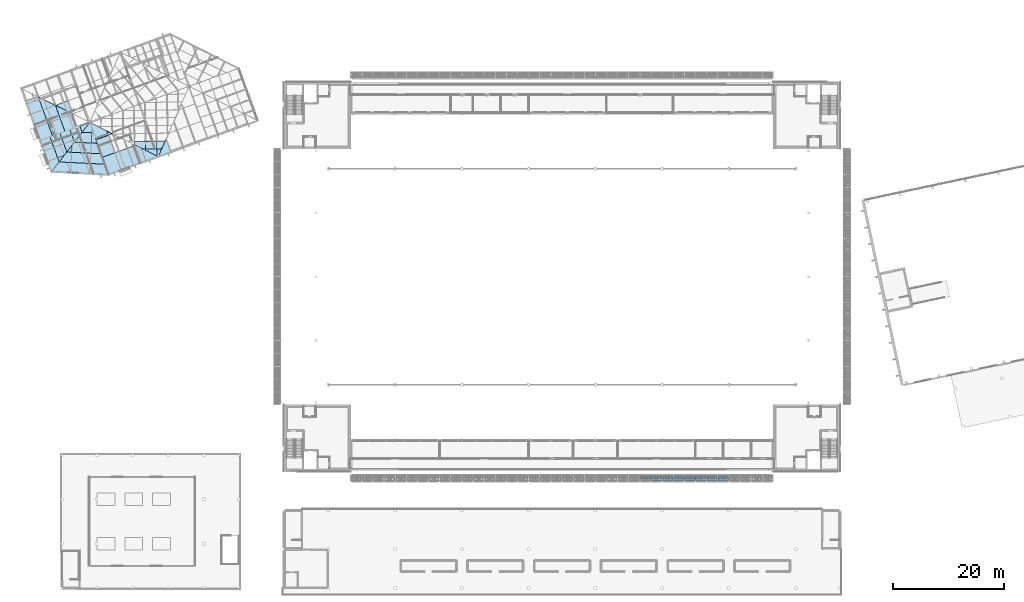
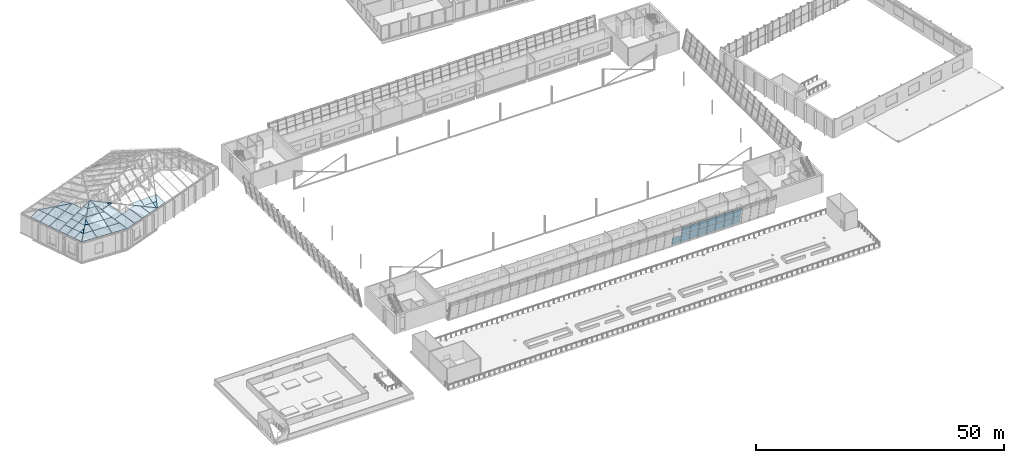
# One storey, part 39 of 95: 59 plates, 1 element without a shape of its own.
"""IFC4 building model written with IfcOpenShell, lengths in metres."""

from ifc_helpers import new_model, si_unit, direction, frame, origin, place, context, subcontext, project, spatial, polyline, outline, extrude, material, layer, layer_set, type_object, element, aggregate, save


model = new_model("IFC4")

# Units and contexts
model_context = context("Model", 3, precision=1e-05, world=origin(), true_north=direction((0.0, 1.0)))
body_context = subcontext(model_context, "Body", "Model", "MODEL_VIEW")
ifc_project = project(units=[si_unit("LENGTHUNIT", "METRE"), si_unit("AREAUNIT", "SQUARE_METRE"), si_unit("VOLUMEUNIT", "CUBIC_METRE"), si_unit("PLANEANGLEUNIT", "RADIAN"), si_unit("MASSUNIT", "GRAM", prefix="KILO")], contexts=[model_context])

# Site, building, storey
site_placement = place(None, origin())
site = spatial("IfcSite", under=ifc_project, at=site_placement, CompositionType="ELEMENT")
building_placement = place(site_placement, origin())
building = spatial("IfcBuilding", under=site, at=building_placement, Name="Windward Yard Aquatics Centre", CompositionType="ELEMENT")
storey_placement = place(building_placement, frame((0.0, 0.0, 9.39990234375)))
storey = spatial("IfcBuildingStorey", under=building, at=storey_placement, Name="L02", CompositionType="ELEMENT", Elevation=9.39990234375)

# Plates
ifc_material_1 = material(Name="Laminated glass, low-e coated", Category="glass")
ifc_layer_1 = layer(ifc_material_1, 0.035888671875)
ifc_layer_set_1 = layer_set([ifc_layer_1], Name="F roof glass panel 36")
plate_type_1 = type_object("IfcPlateType", Name="F roof glass panel 36", PredefinedType="SHEET", material=ifc_layer_set_1)
plate_1_placement = place(storey_placement, frame((29.423828125, 82.6064453125, 4.7509765625), z_axis=(0.149262790559, -0.410090294979, 0.899748058802), x_axis=(0.376667500654, 0.864915381125, 0.331727263645)))
element("IfcPlate", 1, at=plate_1_placement, inside=storey, type_object=plate_type_1, Name="F.RF.G.01.009", PredefinedType="SHEET", context=body_context, shape_type="SweptSolid", body=[
    extrude(outline(polyline([(0.0, 0.0), (3.645249, 0.0), (1.538938, -1.800305), (0.0, 0.0)])), origin(), (0.0, 0.0, -1.0), 0.035888671875),
])
plate_2_placement = place(storey_placement, frame((10.904296875, 91.824462890625, 5.9755859375), z_axis=(-0.081393564523, 0.223623789689, 0.971271068415), x_axis=(0.939691052266, 0.342024452767, 0.0)))
element("IfcPlate", 2, at=plate_2_placement, inside=storey, type_object=plate_type_1, Name="F.RF.G.07.006", PredefinedType="SHEET", context=body_context, shape_type="SweptSolid", body=[
    extrude(outline(polyline([(0.0, 0.0), (2.368423, 0.0), (2.368261, -2.566814), (0.0, 0.0)])), origin(), (0.0, 0.0, -1.0), 0.035888671875),
])
plate_3_placement = place(storey_placement, frame((7.29345703125, 87.849609375, 4.75048828125), z_axis=(-0.234701499929, -0.085408186088, 0.968308136742), x_axis=(0.909898947733, 0.331216776723, 0.249758586902)))
element("IfcPlate", 3, at=plate_3_placement, inside=storey, type_object=plate_type_1, Name="F.RF.G.08.001", PredefinedType="SHEET", context=body_context, shape_type="SweptSolid", body=[
    extrude(outline(polyline([(0.0, 0.0), (2.448654, 0.0), (2.448411, -2.49593), (-0.000242, -2.49593), (0.0, 0.0)])), origin(), (0.0, 0.0, -1.0), 0.035888671875),
])
plate_4_placement = place(storey_placement, frame((9.525146484375, 88.662109375, 5.363037109375), z_axis=(-0.234713524269, -0.085420331783, 0.968304150793), x_axis=(0.909927245976, 0.331127370526, 0.249774040921)))
element("IfcPlate", 4, at=plate_4_placement, inside=storey, type_object=plate_type_1, Name="F.RF.G.08.002", PredefinedType="SHEET", context=body_context, shape_type="SweptSolid", body=[
    extrude(outline(polyline([(0.0, 0.0), (2.448573, 0.0), (2.448564, -2.49593), (0.000133, -2.496243), (0.0, 0.0)])), origin(), (0.0, 0.0, -1.0), 0.035888671875),
])
plate_5_placement = place(storey_placement, frame((11.7568359375, 89.47412109375, 5.9755859375), z_axis=(-0.23469609366, -0.085435094939, 0.968307073285), x_axis=(0.909897948145, 0.331216412848, 0.249762711032)))
element("IfcPlate", 5, at=plate_5_placement, inside=storey, type_object=plate_type_1, Name="F.RF.G.08.003", PredefinedType="SHEET", context=body_context, shape_type="SweptSolid", body=[
    extrude(outline(polyline([(0.0, 0.0), (2.448654, 0.0), (2.448633, -2.496014), (6.1e-05, -2.495784), (0.0, 0.0)])), origin(), (0.0, 0.0, -1.0), 0.035888671875),
])
plate_6_placement = place(storey_placement, frame((6.438232421875, 90.198974609375, 4.75048828125), z_axis=(-0.234701398015, -0.08543257925, 0.968306009572), x_axis=(0.90992899288, 0.331128006285, 0.249766834009)))
element("IfcPlate", 6, at=plate_6_placement, inside=storey, type_object=plate_type_1, Name="F.RF.G.08.005", PredefinedType="SHEET", context=body_context, shape_type="SweptSolid", body=[
    extrude(outline(polyline([(0.0, 0.0), (2.448573, 0.0), (2.448786, -2.496014), (0.000214, -2.496014), (0.0, 0.0)])), origin(), (0.0, 0.0, -1.0), 0.035888671875),
])
plate_7_placement = place(storey_placement, frame((8.670166015625, 91.01123046875, 5.363037109375), z_axis=(-0.23470924874, -0.085411005891, 0.968306009807), x_axis=(0.90992899288, 0.331128006285, 0.249766834009)))
element("IfcPlate", 7, at=plate_7_placement, inside=storey, type_object=plate_type_1, Name="F.RF.G.08.006", PredefinedType="SHEET", context=body_context, shape_type="SweptSolid", body=[
    extrude(outline(polyline([(0.0, 0.0), (2.448573, 0.0), (2.448564, -2.49593), (-9e-06, -2.49593), (0.0, 0.0)])), origin(), (0.0, 0.0, -1.0), 0.035888671875),
])
plate_8_placement = place(storey_placement, frame((10.90283203125, 91.82080078125, 5.9755859375), z_axis=(-0.234695289117, -0.085430454865, 0.968307677677), x_axis=(0.881366000458, -0.438865462474, 0.174903056246)))
element("IfcPlate", 8, at=plate_8_placement, inside=storey, type_object=plate_type_1, Name="F.RF.G.08.007", PredefinedType="SHEET", context=body_context, shape_type="SweptSolid", body=[
    extrude(outline(polyline([(0.0, 0.0), (3.492448, 0.0), (1.779776, -1.745916), (0.0, 0.0)])), origin(), (0.0, 0.0, -1.0), 0.035888671875),
])
plate_9_placement = place(storey_placement, frame((5.583251953125, 92.548095703125, 4.75048828125), z_axis=(-0.234710666403, -0.08542818353, 0.968304150841), x_axis=(0.909927246123, 0.331127370514, 0.249774040404)))
element("IfcPlate", 9, at=plate_9_placement, inside=storey, type_object=plate_type_1, Name="F.RF.G.08.008", PredefinedType="SHEET", context=body_context, shape_type="SweptSolid", body=[
    extrude(outline(polyline([(0.0, 0.0), (2.448573, 0.0), (2.448645, -2.495701), (0.000214, -2.496014), (0.0, 0.0)])), origin(), (0.0, 0.0, -1.0), 0.035888671875),
])
plate_10_placement = place(storey_placement, frame((7.816162109375, 93.357666015625, 5.363037109375), z_axis=(-0.23468183362, -0.085401100771, 0.968313528231), x_axis=(0.881366000458, -0.438865462474, 0.174903056246)))
element("IfcPlate", 10, at=plate_10_placement, inside=storey, type_object=plate_type_1, Name="F.RF.G.08.009", PredefinedType="SHEET", context=body_context, shape_type="SweptSolid", body=[
    extrude(outline(polyline([(0.0, 0.0), (3.492448, 0.0), (1.779561, -1.746016), (0.0, 0.0)])), origin(), (0.0, 0.0, -1.0), 0.035888671875),
])
plate_11_placement = place(storey_placement, frame((9.5166015625, 81.74169921875, 4.75048828125), z_axis=(-0.234684329319, -0.085415221785, 0.96831167785), x_axis=(0.909910961879, 0.331194122754, 0.249744858819)))
element("IfcPlate", 11, at=plate_11_placement, inside=storey, type_object=plate_type_1, Name="F.RF.G.09.001", PredefinedType="SHEET", context=body_context, shape_type="SweptSolid", body=[
    extrude(outline(polyline([(0.0, 0.0), (1.957888, 0.0), (1.958034, -0.796893), (-0.000211, -1.994224), (0.0, 0.0)])), origin(), (0.0, 0.0, -1.0), 0.035888671875),
])
plate_12_placement = place(storey_placement, frame((11.302001953125, 82.3916015625, 5.240478515625), z_axis=(-0.234756094634, -0.085365852594, 0.968298635361), x_axis=(0.909901870929, 0.331180974298, 0.249795411375)))
element("IfcPlate", 12, at=plate_12_placement, inside=storey, type_object=plate_type_1, Name="F.RF.G.09.002", PredefinedType="SHEET", context=body_context, shape_type="SweptSolid", body=[
    extrude(outline(polyline([(0.0, 0.0), (1.298915, 0.0), (-0.00023, -0.794411), (0.0, 0.0)])), origin(), (0.0, 0.0, -1.0), 0.035888671875),
])
plate_13_placement = place(storey_placement, frame((8.83251953125, 83.62109375, 4.75048828125), z_axis=(-0.234688673449, -0.085423255929, 0.968309916246), x_axis=(0.90990930646, 0.331193520346, 0.249751688881)))
element("IfcPlate", 13, at=plate_13_placement, inside=storey, type_object=plate_type_1, Name="F.RF.G.09.003", PredefinedType="SHEET", context=body_context, shape_type="SweptSolid", body=[
    extrude(outline(polyline([(0.0, 0.0), (1.957888, 0.0), (1.958, -1.996164), (-0.000111, -1.996081), (0.0, 0.0)])), origin(), (0.0, 0.0, -1.0), 0.035888671875),
])
plate_14_placement = place(storey_placement, frame((10.617919921875, 84.27099609375, 5.240478515625), z_axis=(-0.234711859465, -0.085391060444, 0.9683071361), x_axis=(0.909946766942, 0.331082453798, 0.249762467394)))
element("IfcPlate", 14, at=plate_14_placement, inside=storey, type_object=plate_type_1, Name="F.RF.G.09.004", PredefinedType="SHEET", context=body_context, shape_type="SweptSolid", body=[
    extrude(outline(polyline([(0.0, 0.0), (1.957808, 0.0), (1.958205, -1.596873), (1.305524, -1.995879), (0.000123, -1.996081), (0.0, 0.0)])), origin(), (0.0, 0.0, -1.0), 0.035888671875),
])
plate_15_placement = place(storey_placement, frame((12.4033203125, 84.920654296875, 5.730712890625), z_axis=(-0.234556796265, -0.085399120655, 0.968343998545), x_axis=(0.909941333186, 0.331205178326, 0.249619510474)))
element("IfcPlate", 15, at=plate_15_placement, inside=storey, type_object=plate_type_1, Name="F.RF.G.09.005", PredefinedType="SHEET", context=body_context, shape_type="SweptSolid", body=[
    extrude(outline(polyline([(0.0, 0.0), (1.957827, 0.0), (1.958093, -0.39683), (-9.2e-05, -1.594161), (0.0, 0.0)])), origin(), (0.0, 0.0, -1.0), 0.035888671875),
])
plate_16_placement = place(storey_placement, frame((8.1484375, 85.50048828125, 4.75048828125), z_axis=(-0.234680268942, -0.085404924113, 0.968313570238), x_axis=(0.909927325246, 0.331154696609, 0.249737521577)))
element("IfcPlate", 16, at=plate_16_placement, inside=storey, type_object=plate_type_1, Name="F.RF.G.09.007", PredefinedType="SHEET", context=body_context, shape_type="SweptSolid", body=[
    extrude(outline(polyline([(0.0, 0.0), (1.958111, 0.0), (1.958085, -1.996081), (-2.6e-05, -1.996081), (0.0, 0.0)])), origin(), (0.0, 0.0, -1.0), 0.035888671875),
])
plate_17_placement = place(storey_placement, frame((9.933837890625, 86.150390625, 5.240478515625), z_axis=(-0.234683327654, -0.08541159572, 0.968312240467), x_axis=(0.909966140105, 0.331044135833, 0.249742675556)))
element("IfcPlate", 17, at=plate_17_placement, inside=storey, type_object=plate_type_1, Name="F.RF.G.09.008", PredefinedType="SHEET", context=body_context, shape_type="SweptSolid", body=[
    extrude(outline(polyline([(0.0, 0.0), (1.95803, 0.0), (1.958319, -1.995851), (0.000208, -1.996081), (0.0, 0.0)])), origin(), (0.0, 0.0, -1.0), 0.035888671875),
])
plate_18_placement = place(storey_placement, frame((11.71923828125, 86.800048828125, 5.730712890625), z_axis=(-0.23456683569, -0.085374755609, 0.968343715165), x_axis=(0.909955652548, 0.331165005915, 0.249620610633)))
element("IfcPlate", 18, at=plate_18_placement, inside=storey, type_object=plate_type_1, Name="F.RF.G.09.009", PredefinedType="SHEET", context=body_context, shape_type="SweptSolid", body=[
    extrude(outline(polyline([(0.0, 0.0), (1.95805, 0.0), (1.958105, -1.995851), (5.5e-05, -1.995851), (0.0, 0.0)])), origin(), (0.0, 0.0, -1.0), 0.035888671875),
])
plate_19_placement = place(storey_placement, frame((13.504638671875, 87.449951171875, 6.220703125), z_axis=(-0.234651865228, -0.08542992299, 0.968318248513), x_axis=(0.909931721647, 0.331156297211, 0.249719380022)))
element("IfcPlate", 19, at=plate_19_placement, inside=storey, type_object=plate_type_1, Name="F.RF.G.09.010", PredefinedType="SHEET", context=body_context, shape_type="SweptSolid", body=[
    extrude(outline(polyline([(0.0, 0.0), (1.958111, 0.0), (1.958188, -1.196956), (0.651432, -1.995997), (-2.6e-05, -1.996081), (0.0, 0.0)])), origin(), (0.0, 0.0, -1.0), 0.035888671875),
])
plate_20_placement = place(storey_placement, frame((15.2900390625, 88.099853515625, 6.710693359375), z_axis=(-0.23459961246, -0.085359972085, 0.968337078191), x_axis=(0.909952839842, 0.331153327757, 0.249646355429)))
element("IfcPlate", 20, at=plate_20_placement, inside=storey, type_object=plate_type_1, Name="F.RF.G.09.011", PredefinedType="SHEET", context=body_context, shape_type="SweptSolid", body=[
    extrude(outline(polyline([(0.0, 0.0), (1.952958, 0.0), (-7.1e-05, -1.194557), (0.0, 0.0)])), origin(), (0.0, 0.0, -1.0), 0.035888671875),
])
plate_21_placement = place(storey_placement, frame((17.0634765625, 79.525634765625, 4.75048828125), z_axis=(-0.012716119829, -0.256630671167, 0.966425888991), x_axis=(0.04771720103, 0.965247154076, 0.256945520052)))
element("IfcPlate", 21, at=plate_21_placement, inside=storey, type_object=plate_type_1, Name="F.RF.G.10.001", PredefinedType="SHEET", context=body_context, shape_type="SweptSolid", body=[
    extrude(outline(polyline([(0.0, 0.0), (1.903295, 0.0), (1.902886, -2.656581), (-0.000266, -3.430956), (0.0, 0.0)])), origin(), (0.0, 0.0, -1.0), 0.035888671875),
])
plate_22_placement = place(storey_placement, frame((17.154541015625, 81.36669921875, 5.240478515625), z_axis=(-0.012712601416, -0.256645151321, 0.966422090015), x_axis=(0.04785131487, 0.96523671078, 0.256959809753)))
element("IfcPlate", 22, at=plate_22_placement, inside=storey, type_object=plate_type_1, Name="F.RF.G.10.002", PredefinedType="SHEET", context=body_context, shape_type="SweptSolid", body=[
    extrude(outline(polyline([(0.0, 0.0), (1.903071, 0.0), (1.903149, -1.880232), (0.000102, -2.654862), (0.0, 0.0)])), origin(), (0.0, 0.0, -1.0), 0.035888671875),
])
plate_23_placement = place(storey_placement, frame((17.24560546875, 83.207763671875, 5.730712890625), z_axis=(-0.01271700676, -0.256526199176, 0.966453613411), x_axis=(0.047852875719, 0.965268195457, 0.256841221623)))
element("IfcPlate", 23, at=plate_23_placement, inside=storey, type_object=plate_type_1, Name="F.RF.G.10.003", PredefinedType="SHEET", context=body_context, shape_type="SweptSolid", body=[
    extrude(outline(polyline([(0.0, 0.0), (1.903009, 0.0), (1.903004, -1.104382), (7e-06, -1.878769), (0.0, 0.0)])), origin(), (0.0, 0.0, -1.0), 0.035888671875),
])
plate_24_placement = place(storey_placement, frame((17.3369140625, 85.048583984375, 6.220703125), z_axis=(-0.012715296979, -0.256629769709, 0.966426139196), x_axis=(0.047717213423, 0.965247403951, 0.25694457906)))
element("IfcPlate", 24, at=plate_24_placement, inside=storey, type_object=plate_type_1, Name="F.RF.G.10.004", PredefinedType="SHEET", context=body_context, shape_type="SweptSolid", body=[
    extrude(outline(polyline([(0.0, 0.0), (1.903295, 0.0), (1.903152, -0.328289), (-1.1e-05, -1.102419), (0.0, 0.0)])), origin(), (0.0, 0.0, -1.0), 0.035888671875),
])
plate_25_placement = place(storey_placement, frame((13.6318359375, 79.695556640625, 4.75048828125), z_axis=(-0.012704420397, -0.256647571758, 0.966421554816), x_axis=(0.047723313995, 0.965242512083, 0.256961822395)))
element("IfcPlate", 25, at=plate_25_placement, inside=storey, type_object=plate_type_1, Name="F.RF.G.10.006", PredefinedType="SHEET", context=body_context, shape_type="SweptSolid", body=[
    extrude(outline(polyline([(0.0, 0.0), (1.90306, 0.0), (1.902862, -3.431931), (-0.000197, -3.431931), (0.0, 0.0)])), origin(), (0.0, 0.0, -1.0), 0.035888671875),
])
plate_26_placement = place(storey_placement, frame((13.722900390625, 81.53662109375, 5.240478515625), z_axis=(-0.012703930147, -0.256646807515, 0.966421764216), x_axis=(0.047723324347, 0.965242721221, 0.256961034874)))
element("IfcPlate", 26, at=plate_26_placement, inside=storey, type_object=plate_type_1, Name="F.RF.G.10.007", PredefinedType="SHEET", context=body_context, shape_type="SweptSolid", body=[
    extrude(outline(polyline([(0.0, 0.0), (1.90306, 0.0), (1.902874, -3.432175), (-0.000197, -3.431931), (0.0, 0.0)])), origin(), (0.0, 0.0, -1.0), 0.035888671875),
])
plate_27_placement = place(storey_placement, frame((13.81396484375, 83.37744140625, 5.730712890625), z_axis=(-0.012662549874, -0.256518946026, 0.966456253619), x_axis=(0.04784420597, 0.96527126997, 0.256831281827)))
element("IfcPlate", 27, at=plate_27_placement, inside=storey, type_object=plate_type_1, Name="F.RF.G.10.008", PredefinedType="SHEET", context=body_context, shape_type="SweptSolid", body=[
    extrude(outline(polyline([(0.0, 0.0), (1.280847, 0.0), (1.903257, -0.419464), (1.903456, -3.431936), (0.000448, -3.431919), (0.0, 0.0)])), origin(), (0.0, 0.0, -1.0), 0.035888671875),
])
plate_28_placement = place(storey_placement, frame((14.326904296875, 85.19775390625, 6.220703125), z_axis=(-0.012700702694, -0.256636305319, 0.966424595581), x_axis=(0.597865441205, 0.772761241116, 0.213065666969)))
element("IfcPlate", 28, at=plate_28_placement, inside=storey, type_object=plate_type_1, Name="F.RF.G.10.009", PredefinedType="SHEET", context=body_context, shape_type="SweptSolid", body=[
    extrude(outline(polyline([(0.0, 0.0), (2.294949, 0.0), (3.260336, -1.431924), (1.682161, -2.495831), (0.0, 0.0)])), origin(), (0.0, 0.0, -1.0), 0.035888671875),
])
plate_29_placement = place(storey_placement, frame((15.701904296875, 86.97509765625, 6.710693359375), z_axis=(-0.012628426157, -0.25655389955, 0.966447421994), x_axis=(0.597821131898, 0.772823031776, 0.212965855979)))
element("IfcPlate", 29, at=plate_29_placement, inside=storey, type_object=plate_type_1, Name="F.RF.G.10.010", PredefinedType="SHEET", context=body_context, shape_type="SweptSolid", body=[
    extrude(outline(polyline([(0.0, 0.0), (2.292262, 0.0), (1.637152, -0.975961), (0.9637, -1.429827), (0.0, 0.0)])), origin(), (0.0, 0.0, -1.0), 0.035888671875),
])
plate_30_placement = place(storey_placement, frame((10.201904296875, 79.865234375, 4.75048828125), z_axis=(-0.012698532609, -0.25663633174, 0.966424617081), x_axis=(0.597815964553, 0.772797413842, 0.213073296507)))
element("IfcPlate", 30, at=plate_30_placement, inside=storey, type_object=plate_type_1, Name="F.RF.G.10.011", PredefinedType="SHEET", context=body_context, shape_type="SweptSolid", body=[
    extrude(outline(polyline([(0.0, 0.0), (2.295138, 0.0), (3.495247, -1.780752), (1.917049, -2.844224), (0.0, 0.0)])), origin(), (0.0, 0.0, -1.0), 0.035888671875),
])
plate_31_placement = place(storey_placement, frame((11.576904296875, 81.642578125, 5.240478515625), z_axis=(-0.012704943883, -0.25660231488, 0.966433565435), x_axis=(0.597766786473, 0.772839501353, 0.21305861667)))
element("IfcPlate", 31, at=plate_31_placement, inside=storey, type_object=plate_type_1, Name="F.RF.G.10.012", PredefinedType="SHEET", context=body_context, shape_type="SweptSolid", body=[
    extrude(outline(polyline([(0.0, 0.0), (2.295327, 0.0), (2.776889, -0.714821), (1.198582, -1.778532), (0.0, 0.0)])), origin(), (0.0, 0.0, -1.0), 0.035888671875),
])
plate_32_placement = place(storey_placement, frame((12.951904296875, 83.420166015625, 5.730712890625), z_axis=(-0.012695886745, -0.256471505219, 0.966468406866), x_axis=(0.597733976304, 0.772893534185, 0.212954639273)))
element("IfcPlate", 32, at=plate_32_placement, inside=storey, type_object=plate_type_1, Name="F.RF.G.10.013", PredefinedType="SHEET", context=body_context, shape_type="SweptSolid", body=[
    extrude(outline(polyline([(0.0, 0.0), (1.537382, 0.0), (0.480115, -0.712547), (0.0, 0.0)])), origin(), (0.0, 0.0, -1.0), 0.035888671875),
])
plate_33_placement = place(storey_placement, frame((26.3369140625, 84.135986328125, 5.361328125), z_axis=(0.081420538836, -0.223605969113, 0.971272910377), x_axis=(0.881393038995, -0.438809018541, -0.17490842192)))
element("IfcPlate", 33, at=plate_33_placement, inside=storey, type_object=plate_type_1, Name="F.RF.G.11.001", PredefinedType="SHEET", context=body_context, shape_type="SweptSolid", body=[
    extrude(outline(polyline([(0.0, 0.0), (3.492341, 0.0), (1.886508, -1.7407), (0.0, 0.0)])), origin(), (0.0, 0.0, -1.0), 0.035888671875),
])
plate_34_placement = place(storey_placement, frame((23.819091796875, 84.109619140625, 5.56640625), z_axis=(0.081449635016, -0.223640824017, 0.971262445886), x_axis=(0.939690164869, 0.342026887512, -4.7614316e-05)))
element("IfcPlate", 34, at=plate_34_placement, inside=storey, type_object=plate_type_1, Name="F.RF.G.11.002", PredefinedType="SHEET", context=body_context, shape_type="SweptSolid", body=[
    extrude(outline(polyline([(0.0, 0.0), (1.580416, 0.0), (2.371102, -0.856748), (2.371002, -3.427846), (0.00018, -3.428028), (0.0, 0.0)])), origin(), (0.0, 0.0, -1.0), 0.035888671875),
])
plate_35_placement = place(storey_placement, frame((21.58740234375, 83.29736328125, 5.56640625), z_axis=(0.081408078423, -0.223673076529, 0.971258502976), x_axis=(0.939711285429, 0.341968858102, -1.1184922e-05)))
element("IfcPlate", 35, at=plate_35_placement, inside=storey, type_object=plate_type_1, Name="F.RF.G.11.004", PredefinedType="SHEET", context=body_context, shape_type="SweptSolid", body=[
    extrude(outline(polyline([(0.0, 0.0), (2.370968, 0.0), (2.371178, -3.427724), (0.000127, -3.427947), (0.0, 0.0)])), origin(), (0.0, 0.0, -1.0), 0.035888671875),
])
plate_36_placement = place(storey_placement, frame((20.163330078125, 87.2099609375, 6.58642578125), z_axis=(0.081474499314, -0.223758602207, 0.971233233523), x_axis=(0.881333731907, -0.43887425128, -0.175043550486)))
element("IfcPlate", 36, at=plate_36_placement, inside=storey, type_object=plate_type_1, Name="F.RF.G.11.006", PredefinedType="SHEET", context=body_context, shape_type="SweptSolid", body=[
    extrude(outline(polyline([(0.0, 0.0), (1.157636, 0.0), (0.625471, -0.576975), (0.0, 0.0)])), origin(), (0.0, 0.0, -1.0), 0.035888671875),
])
plate_37_placement = place(storey_placement, frame((19.355712890625, 82.485107421875, 5.56640625), z_axis=(0.081411054018, -0.223668996972, 0.971259193046), x_axis=(0.939699583291, 0.342001013319, -7.114397e-06)))
element("IfcPlate", 37, at=plate_37_placement, inside=storey, type_object=plate_type_1, Name="F.RF.G.11.007", PredefinedType="SHEET", context=body_context, shape_type="SweptSolid", body=[
    extrude(outline(polyline([(0.0, 0.0), (2.370738, 0.0), (2.371061, -3.427806), (1e-05, -3.427947), (0.0, 0.0)])), origin(), (0.0, 0.0, -1.0), 0.035888671875),
])
plate_38_placement = place(storey_placement, frame((18.215576171875, 85.6171875, 6.3828125), z_axis=(0.081375578083, -0.223550128112, 0.971289532278), x_axis=(0.939679129941, 0.342057206844, 0.0)))
element("IfcPlate", 38, at=plate_38_placement, inside=storey, type_object=plate_type_1, Name="F.RF.G.11.008", PredefinedType="SHEET", context=body_context, shape_type="SweptSolid", body=[
    extrude(outline(polyline([(0.0, 0.0), (2.371051, 0.0), (2.37094, -3.427608), (-0.000112, -3.427608), (0.0, 0.0)])), origin(), (0.0, 0.0, -1.0), 0.035888671875),
])
plate_39_placement = place(storey_placement, frame((17.076416015625, 88.746826171875, 7.198974609375), z_axis=(0.08138090797, -0.223697897092, 0.971255063644), x_axis=(0.881377175749, -0.43883548006, -0.174921969774)))
element("IfcPlate", 39, at=plate_39_placement, inside=storey, type_object=plate_type_1, Name="F.RF.G.11.009", PredefinedType="SHEET", context=body_context, shape_type="SweptSolid", body=[
    extrude(outline(polyline([(0.0, 0.0), (3.496554, 0.0), (4.124943, -0.58001), (2.517015, -2.322438), (0.0, 0.0)])), origin(), (0.0, 0.0, -1.0), 0.035888671875),
])
plate_40_placement = place(storey_placement, frame((29.122314453125, 83.99169921875, 5.2880859375), z_axis=(0.005630704063, -0.360146774557, 0.932878660892), x_axis=(0.999874357737, 0.015851233718, 8.4441945e-05)))
element("IfcPlate", 40, at=plate_40_placement, inside=storey, type_object=plate_type_1, Name="F.RF.G.12.010", PredefinedType="SHEET", context=body_context, shape_type="SweptSolid", body=[
    extrude(outline(polyline([(0.0, 0.0), (0.906853, 0.0), (0.274823, -1.490567), (-4.7e-05, -1.337783), (0.0, 0.0)])), origin(), (0.0, 0.0, -1.0), 0.035888671875),
])
plate_41_placement = place(storey_placement, frame((29.10009765625, 85.38671875, 5.8271484375), z_axis=(0.00578164053, -0.360257253368, 0.932835078687), x_axis=(0.999871870484, 0.016007572835, -1.5067517e-05)))
element("IfcPlate", 41, at=plate_41_placement, inside=storey, type_object=plate_type_1, Name="F.RF.G.12.011", PredefinedType="SHEET", context=body_context, shape_type="SweptSolid", body=[
    extrude(outline(polyline([(0.0, 0.0), (1.540969, 0.0), (0.908519, -1.491353), (-4.6e-05, -1.491455), (0.0, 0.0)])), origin(), (0.0, 0.0, -1.0), 0.035888671875),
])
plate_42_placement = place(storey_placement, frame((27.12744140625, 83.9599609375, 5.2880859375), z_axis=(0.005732889041, -0.360230897439, 0.932845557696), x_axis=(0.999872992209, 0.015937357316, 9.613177e-06)))
element("IfcPlate", 42, at=plate_42_placement, inside=storey, type_object=plate_type_1, Name="F.RF.G.12.018", PredefinedType="SHEET", context=body_context, shape_type="SweptSolid", body=[
    extrude(outline(polyline([(0.0, 0.0), (1.990976, 0.0), (1.990888, -1.335697), (-7e-06, -0.230347), (0.0, 0.0)])), origin(), (0.0, 0.0, -1.0), 0.035888671875),
])
plate_43_placement = place(storey_placement, frame((27.105224609375, 85.35498046875, 5.8271484375), z_axis=(0.005721729759, -0.360270150247, 0.932830467261), x_axis=(0.999873059708, 0.015933111637, 2.0605118e-05)))
element("IfcPlate", 43, at=plate_43_placement, inside=storey, type_object=plate_type_1, Name="F.RF.G.12.019", PredefinedType="SHEET", context=body_context, shape_type="SweptSolid", body=[
    extrude(outline(polyline([(0.0, 0.0), (1.990976, 0.0), (1.991014, -1.491455), (4.2e-05, -1.491227), (0.0, 0.0)])), origin(), (0.0, 0.0, -1.0), 0.035888671875),
])
plate_44_placement = place(storey_placement, frame((25.110595703125, 85.323486328125, 5.8271484375), z_axis=(0.005709184745, -0.360272372136, 0.932829686001), x_axis=(0.999874825818, 0.01582190305, -8.871458e-06)))
element("IfcPlate", 44, at=plate_44_placement, inside=storey, type_object=plate_type_1, Name="F.RF.G.12.026", PredefinedType="SHEET", context=body_context, shape_type="SweptSolid", body=[
    extrude(outline(polyline([(0.0, 0.0), (1.990972, 0.0), (1.99094, -1.491224), (1.572427, -1.491425), (-9.4e-05, -0.618534), (0.0, 0.0)])), origin(), (0.0, 0.0, -1.0), 0.035888671875),
])

# Curtain wall, plates
ifc_material_2 = material(Name="Glass and aluminium curtain wall", Category="aluminium")
ifc_layer_2 = layer(ifc_material_2, 0.179931640625)
ifc_layer_set_2 = layer_set([ifc_layer_2], Name="H curtain wall tier 1 double glazed 8+16+8")
curtain_wall_type = type_object("IfcCurtainWallType", Name="H curtain wall tier 1 double glazed 8+16+8", PredefinedType="NOTDEFINED", material=ifc_layer_set_2)
curtain_wall_placement = place(storey_placement, origin())
curtain_wall = element("IfcCurtainWall", 45, at=curtain_wall_placement, inside=storey, type_object=curtain_wall_type, Name="Tier 1 glazing S L02", PredefinedType="NOTDEFINED")
ifc_material_3 = material(Name="Low-iron glass", Category="glass")
ifc_layer_3 = layer(ifc_material_3, 0.008, Name="Outer pane")
ifc_material_4 = material(Name="Argon-filled cavity")
ifc_layer_4 = layer(ifc_material_4, 0.016, Name="Cavity")
ifc_layer_5 = layer(ifc_material_3, 0.008, Name="Inner pane")
ifc_layer_set_3 = layer_set([ifc_layer_3, ifc_layer_4, ifc_layer_5], Name="H tier 1 glass low-e double glazed unit 32")
plate_type_2 = type_object("IfcPlateType", Name="H tier 1 glass low-e double glazed unit 32", PredefinedType="CURTAIN_PANEL", material=ifc_layer_set_3)
plate_45_placement = place(storey_placement, frame((116.03564453125, 24.7900390625, 2.079345703125), z_axis=(0.0, 0.979933459069, 0.199324900092), x_axis=(0.0, 0.199324900092, -0.979933459069)))
plate_45 = element("IfcPlate", 46, at=plate_45_placement, type_object=plate_type_2, Name="G1SB panel 8.1", PredefinedType="CURTAIN_PANEL", context=body_context, shape_type="SweptSolid", body=[
    extrude(outline(polyline([(0.0, 0.0), (2.018532, 0.0), (2.018532, -1.934814), (0.0, -1.934814), (0.0, 0.0)])), origin(), (0.0, 0.0, -1.0), 0.031982421875),
])
plate_46_placement = place(storey_placement, frame((118.035400390625, 24.7900390625, 2.079345703125), z_axis=(0.0, 0.979933459069, 0.199324900092), x_axis=(0.0, 0.199324900092, -0.979933459069)))
plate_46 = element("IfcPlate", 47, at=plate_46_placement, type_object=plate_type_2, Name="G1SB panel 9.1", PredefinedType="CURTAIN_PANEL", context=body_context, shape_type="SweptSolid", body=[
    extrude(outline(polyline([(0.0, 0.0), (2.018532, 0.0), (2.018532, -1.934814), (0.0, -1.934814), (0.0, 0.0)])), origin(), (0.0, 0.0, -1.0), 0.031982421875),
])
plate_47_placement = place(storey_placement, frame((118.035400390625, 24.368896484375, 4.14892578125), z_axis=(0.0, 0.979926619255, 0.199358523457), x_axis=(0.0, 0.199358523457, -0.979926619255)))
plate_47 = element("IfcPlate", 48, at=plate_47_placement, type_object=plate_type_2, Name="G1SB panel 9.2", PredefinedType="CURTAIN_PANEL", context=body_context, shape_type="SweptSolid", body=[
    extrude(outline(polyline([(0.0, 0.0), (2.012069, 0.0), (2.012069, -1.934814), (0.0, -1.934814), (0.0, 0.0)])), origin(), (0.0, 0.0, -1.0), 0.031982421875),
])
plate_48_placement = place(storey_placement, frame((120.03515625, 24.7900390625, 2.079345703125), z_axis=(0.0, 0.979933459069, 0.199324900092), x_axis=(0.0, 0.199324900092, -0.979933459069)))
plate_48 = element("IfcPlate", 49, at=plate_48_placement, type_object=plate_type_2, Name="G1SB panel 10.1", PredefinedType="CURTAIN_PANEL", context=body_context, shape_type="SweptSolid", body=[
    extrude(outline(polyline([(0.0, 0.0), (2.018532, 0.0), (2.018532, -1.934814), (0.0, -1.934814), (0.0, 0.0)])), origin(), (0.0, 0.0, -1.0), 0.031982421875),
])
plate_49_placement = place(storey_placement, frame((120.03515625, 24.368896484375, 4.14892578125), z_axis=(0.0, 0.979926619255, 0.199358523457), x_axis=(0.0, 0.199358523457, -0.979926619255)))
plate_49 = element("IfcPlate", 50, at=plate_49_placement, type_object=plate_type_2, Name="G1SB panel 10.2", PredefinedType="CURTAIN_PANEL", context=body_context, shape_type="SweptSolid", body=[
    extrude(outline(polyline([(0.0, 0.0), (2.012069, 0.0), (2.012069, -1.934814), (0.0, -1.934814), (0.0, 0.0)])), origin(), (0.0, 0.0, -1.0), 0.031982421875),
])
plate_50_placement = place(storey_placement, frame((122.034912109375, 24.7900390625, 2.079345703125), z_axis=(0.0, 0.979933459069, 0.199324900092), x_axis=(0.0, 0.199324900092, -0.979933459069)))
plate_50 = element("IfcPlate", 51, at=plate_50_placement, type_object=plate_type_2, Name="G1SB panel 11.1", PredefinedType="CURTAIN_PANEL", context=body_context, shape_type="SweptSolid", body=[
    extrude(outline(polyline([(0.0, 0.0), (2.018532, 0.0), (2.018532, -1.934814), (0.0, -1.934814), (0.0, 0.0)])), origin(), (0.0, 0.0, -1.0), 0.031982421875),
])
plate_51_placement = place(storey_placement, frame((122.034912109375, 24.368896484375, 4.14892578125), z_axis=(0.0, 0.979926619255, 0.199358523457), x_axis=(0.0, 0.199358523457, -0.979926619255)))
plate_51 = element("IfcPlate", 52, at=plate_51_placement, type_object=plate_type_2, Name="G1SB panel 11.2", PredefinedType="CURTAIN_PANEL", context=body_context, shape_type="SweptSolid", body=[
    extrude(outline(polyline([(0.0, 0.0), (2.012069, 0.0), (2.012069, -1.934814), (0.0, -1.934814), (0.0, 0.0)])), origin(), (0.0, 0.0, -1.0), 0.031982421875),
])
plate_52_placement = place(storey_placement, frame((124.03466796875, 24.7900390625, 2.079345703125), z_axis=(0.0, 0.979933459069, 0.199324900092), x_axis=(0.0, 0.199324900092, -0.979933459069)))
plate_52 = element("IfcPlate", 53, at=plate_52_placement, type_object=plate_type_2, Name="G1SB panel 12.1", PredefinedType="CURTAIN_PANEL", context=body_context, shape_type="SweptSolid", body=[
    extrude(outline(polyline([(0.0, 0.0), (2.018532, 0.0), (2.018532, -1.93457), (0.0, -1.93457), (0.0, 0.0)])), origin(), (0.0, 0.0, -1.0), 0.031982421875),
])
plate_53_placement = place(storey_placement, frame((124.03466796875, 24.368896484375, 4.14892578125), z_axis=(0.0, 0.979926619255, 0.199358523457), x_axis=(0.0, 0.199358523457, -0.979926619255)))
plate_53 = element("IfcPlate", 54, at=plate_53_placement, type_object=plate_type_2, Name="G1SB panel 12.2", PredefinedType="CURTAIN_PANEL", context=body_context, shape_type="SweptSolid", body=[
    extrude(outline(polyline([(0.0, 0.0), (2.012069, 0.0), (2.012069, -1.93457), (0.0, -1.93457), (0.0, 0.0)])), origin(), (0.0, 0.0, -1.0), 0.031982421875),
])
plate_54_placement = place(storey_placement, frame((126.034423828125, 24.7900390625, 2.079345703125), z_axis=(0.0, 0.979933459069, 0.199324900092), x_axis=(0.0, 0.199324900092, -0.979933459069)))
plate_54 = element("IfcPlate", 55, at=plate_54_placement, type_object=plate_type_2, Name="G1SB panel 13.1", PredefinedType="CURTAIN_PANEL", context=body_context, shape_type="SweptSolid", body=[
    extrude(outline(polyline([(0.0, 0.0), (2.018532, 0.0), (2.018532, -1.93457), (0.0, -1.93457), (0.0, 0.0)])), origin(), (0.0, 0.0, -1.0), 0.031982421875),
])
plate_55_placement = place(storey_placement, frame((126.034423828125, 24.368896484375, 4.14892578125), z_axis=(0.0, 0.979926619255, 0.199358523457), x_axis=(0.0, 0.199358523457, -0.979926619255)))
plate_55 = element("IfcPlate", 56, at=plate_55_placement, type_object=plate_type_2, Name="G1SB panel 13.2", PredefinedType="CURTAIN_PANEL", context=body_context, shape_type="SweptSolid", body=[
    extrude(outline(polyline([(0.0, 0.0), (2.012069, 0.0), (2.012069, -1.93457), (0.0, -1.93457), (0.0, 0.0)])), origin(), (0.0, 0.0, -1.0), 0.031982421875),
])
plate_56_placement = place(storey_placement, frame((128.0341796875, 24.7900390625, 2.079345703125), z_axis=(0.0, 0.979933459069, 0.199324900092), x_axis=(0.0, 0.199324900092, -0.979933459069)))
plate_56 = element("IfcPlate", 57, at=plate_56_placement, type_object=plate_type_2, Name="G1SB panel 14.1", PredefinedType="CURTAIN_PANEL", context=body_context, shape_type="SweptSolid", body=[
    extrude(outline(polyline([(0.0, 0.0), (2.018532, 0.0), (2.018532, -1.93457), (0.0, -1.93457), (0.0, 0.0)])), origin(), (0.0, 0.0, -1.0), 0.031982421875),
])
plate_57_placement = place(storey_placement, frame((128.0341796875, 24.368896484375, 4.14892578125), z_axis=(0.0, 0.979926619255, 0.199358523457), x_axis=(0.0, 0.199358523457, -0.979926619255)))
plate_57 = element("IfcPlate", 58, at=plate_57_placement, type_object=plate_type_2, Name="G1SB panel 14.2", PredefinedType="CURTAIN_PANEL", context=body_context, shape_type="SweptSolid", body=[
    extrude(outline(polyline([(0.0, 0.0), (2.012069, 0.0), (2.012069, -1.93457), (0.0, -1.93457), (0.0, 0.0)])), origin(), (0.0, 0.0, -1.0), 0.031982421875),
])
plate_58_placement = place(storey_placement, frame((130.033935546875, 24.7900390625, 2.079345703125), z_axis=(0.0, 0.979933459069, 0.199324900092), x_axis=(0.0, 0.199324900092, -0.979933459069)))
plate_58 = element("IfcPlate", 59, at=plate_58_placement, type_object=plate_type_2, Name="G1SB panel 15.1", PredefinedType="CURTAIN_PANEL", context=body_context, shape_type="SweptSolid", body=[
    extrude(outline(polyline([(0.0, 0.0), (2.018532, 0.0), (2.018532, -1.93457), (0.0, -1.93457), (0.0, 0.0)])), origin(), (0.0, 0.0, -1.0), 0.031982421875),
])
plate_59_placement = place(storey_placement, frame((130.033935546875, 24.368896484375, 4.14892578125), z_axis=(0.0, 0.979926619255, 0.199358523457), x_axis=(0.0, 0.199358523457, -0.979926619255)))
plate_59 = element("IfcPlate", 60, at=plate_59_placement, type_object=plate_type_2, Name="G1SB panel 15.2", PredefinedType="CURTAIN_PANEL", context=body_context, shape_type="SweptSolid", body=[
    extrude(outline(polyline([(0.0, 0.0), (2.012069, 0.0), (2.012069, -1.93457), (0.0, -1.93457), (0.0, 0.0)])), origin(), (0.0, 0.0, -1.0), 0.031982421875),
])
aggregate(curtain_wall, [plate_45, plate_46, plate_47, plate_48, plate_49, plate_50, plate_51, plate_52, plate_53, plate_54, plate_55, plate_56, plate_57, plate_58, plate_59])

save(model, "model.ifc")
